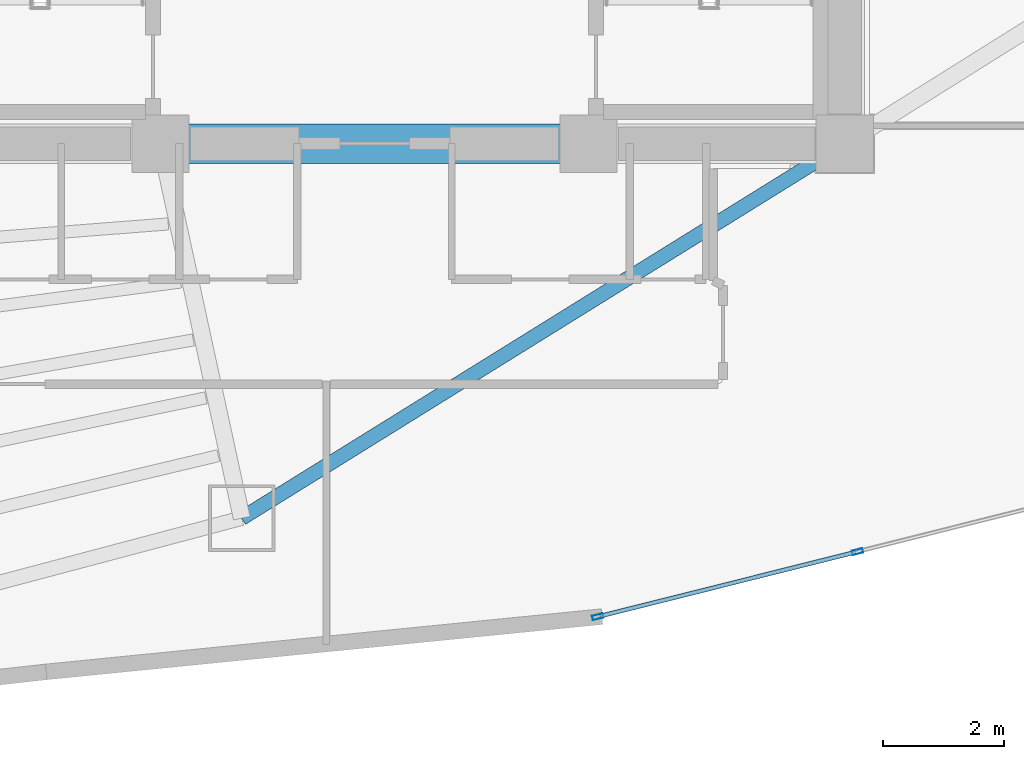
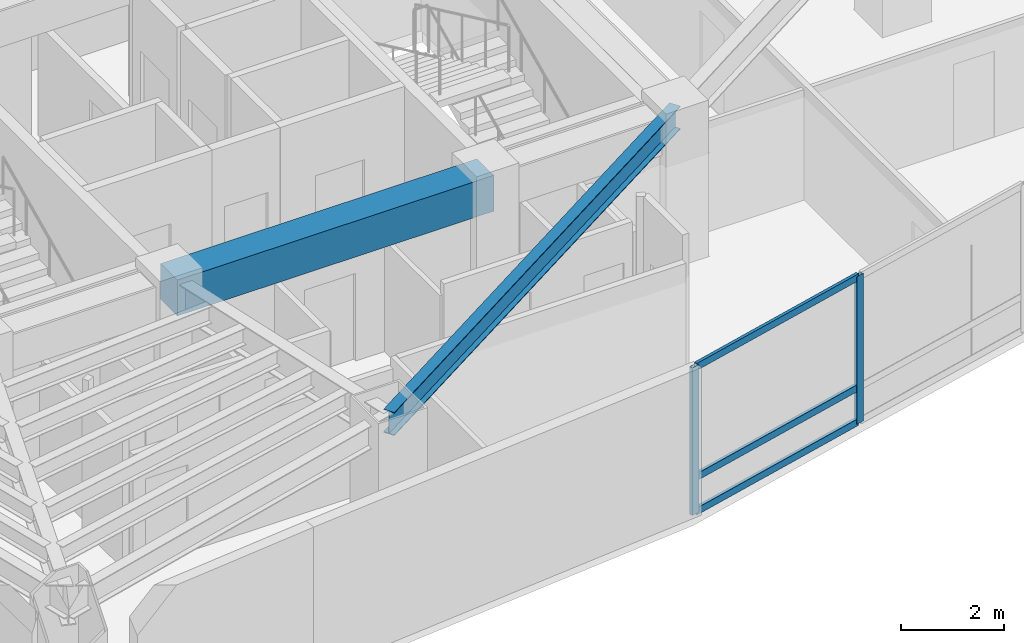
# One storey, part 4 of 17: 5 members, 2 beams, 1 element without a shape of its own.
"""IFC4 building model written with IfcOpenShell, lengths in metres."""

from ifc_helpers import new_model, si_unit, direction, frame, origin, origin_2d, place, context, subcontext, project, spatial, rectangle, hollow_rectangle, i_section, extrude, material, layer, layer_set, material_profile, profile_set, type_object, element, aggregate, save


model = new_model("IFC4")

# Units and contexts
model_context = context("Model", 3, precision=1e-05, world=origin(), true_north=direction((0.0, 1.0)))
body_context = subcontext(model_context, "Body", "Model", "MODEL_VIEW")
ifc_project = project(units=[si_unit("LENGTHUNIT", "METRE"), si_unit("AREAUNIT", "SQUARE_METRE"), si_unit("VOLUMEUNIT", "CUBIC_METRE"), si_unit("PLANEANGLEUNIT", "RADIAN"), si_unit("MASSUNIT", "GRAM", prefix="KILO")], contexts=[model_context])

# Site, building, storey
site_placement = place(None, origin())
site = spatial("IfcSite", under=ifc_project, at=site_placement, CompositionType="ELEMENT")
building_placement = place(site_placement, origin())
building = spatial("IfcBuilding", under=site, at=building_placement, Name="Menara Vayukalpa", CompositionType="ELEMENT")
storey_placement = place(building_placement, frame((0.0, 0.0, 154.320068359375)))
storey = spatial("IfcBuildingStorey", under=building, at=storey_placement, Name="L38", CompositionType="ELEMENT", Elevation=154.320068359375)

# Beams
ifc_material_1 = material(Name="Concrete C60/75", Category="concrete")
ifc_material_profile_1 = material_profile(ifc_material_1, rectangle(XDim=0.64990234375, YDim=0.85009765625, at=origin_2d()), Name="RC 650x850")
ifc_profile_set_1 = profile_set([ifc_material_profile_1], Name="Concrete C60/75")
beam_type_1 = type_object("IfcBeamType", Name="BM-CB1", PredefinedType="BEAM", material=ifc_profile_set_1)
beam_1_placement = place(storey_placement, frame((22.050048828125, 17.199951171875, 3.074951171875), z_axis=(1.0, 0.0, 0.0), x_axis=(0.0, 1.0, 0.0)))
element("IfcBeam", 1, at=beam_1_placement, inside=storey, type_object=beam_type_1, Name="L38 Core Tie Beam CBR2", PredefinedType="BEAM", context=body_context, shape_type="SweptSolid", body=[
    extrude(rectangle(XDim=0.64990234375, YDim=0.85009765625, at=origin_2d()), origin(), (0.0, 0.0, 1.0), 7.099853515625),
])
ifc_material_2 = material(Name="Steel S355", Category="steel")
ifc_material_profile_2 = material_profile(ifc_material_2, i_section(OverallWidth=0.239990234375, OverallDepth=0.550048828125, WebThickness=0.010986328125, FlangeThickness=0.01904296875, at=origin_2d()), Name="WF 550x240x11x19")
ifc_profile_set_2 = profile_set([ifc_material_profile_2], Name="Steel S355")
beam_type_2 = type_object("IfcBeamType", Name="BM-SP2", PredefinedType="SPANDREL", material=ifc_profile_set_2)
beam_2_placement = place(storey_placement, frame((23.39697265625, 10.988037109375, 3.224853515625), z_axis=(0.849518408464, 0.527558976495, 0.0), x_axis=(-0.527558976495, 0.849518408464, 0.0)))
element("IfcBeam", 2, at=beam_2_placement, inside=storey, type_object=beam_type_2, Name="L38 Perimeter Spandrel Beam SP08", PredefinedType="SPANDREL", context=body_context, shape_type="SweptSolid", body=[
    extrude(i_section(OverallWidth=0.239990234375, OverallDepth=0.550048828125, WebThickness=0.010986328125, FlangeThickness=0.01904296875, at=origin_2d()), origin(), (0.0, 0.0, 1.0), 11.77490234375),
])

# Curtain wall, members
ifc_material_3 = material(Name="Anodised Terracotta Aluminium Alloy 6063-T6", Category="masonry")
ifc_layer = layer(ifc_material_3, 0.179931640625)
ifc_layer_set = layer_set([ifc_layer], Name="Anodised Terracotta Aluminium Alloy 6063-T6")
curtain_wall_type = type_object("IfcCurtainWallType", Name="CW-CW4", PredefinedType="USERDEFINED", material=ifc_layer_set)
curtain_wall_placement = place(storey_placement, origin())
curtain_wall = element("IfcCurtainWall", 3, at=curtain_wall_placement, inside=storey, type_object=curtain_wall_type, Name="L38 Sky Bar Cantilever Glazed Curtain Wall CW4 16", ObjectType="UNITISED", PredefinedType="USERDEFINED")
ifc_material_4 = material(Name="Anodised Terracotta Aluminium Alloy 6063-T6", Category="masonry")
ifc_material_profile_3 = material_profile(ifc_material_4, hollow_rectangle(XDim=0.074951171875, YDim=0.179931640625, WallThickness=0.00390625, at=origin_2d()), Name="ALU 75x180x4")
ifc_profile_set_3 = profile_set([ifc_material_profile_3], Name="Anodised Terracotta Aluminium Alloy 6063-T6")
member_type_1 = type_object("IfcMemberType", Name="CWM-CW4", PredefinedType="MULLION", material=ifc_profile_set_3)
member_1_placement = place(storey_placement, frame((29.302001953125, 9.35205078125, 0.0), z_axis=(0.0, 0.0, 1.0), x_axis=(-0.243112993066, 0.969997975566, 0.0)))
member_1 = element("IfcMember", 4, at=member_1_placement, type_object=member_type_1, Name="CW4 mullion 1", PredefinedType="MULLION", context=body_context, shape_type="SweptSolid", body=[
    extrude(hollow_rectangle(XDim=0.074951171875, YDim=0.179931640625, WallThickness=0.00390625, at=origin_2d()), origin(), (0.0, 0.0, 1.0), 3.5),
])
member_2_placement = place(storey_placement, frame((33.61376953125, 10.4326171875, 0.0), z_axis=(0.0, 0.0, 1.0), x_axis=(-0.243112993066, 0.969997975566, 0.0)))
member_2 = element("IfcMember", 5, at=member_2_placement, type_object=member_type_1, Name="CW4 mullion 2", PredefinedType="MULLION", context=body_context, shape_type="SweptSolid", body=[
    extrude(hollow_rectangle(XDim=0.074951171875, YDim=0.179931640625, WallThickness=0.00390625, at=origin_2d()), origin(), (0.0, 0.0, 1.0), 3.5),
])
ifc_material_5 = material(Name="Anodised Terracotta Aluminium Alloy 6063-T6", Category="masonry")
ifc_material_profile_4 = material_profile(ifc_material_5, hollow_rectangle(XDim=0.070068359375, YDim=0.1650390625, WallThickness=0.00390625, at=origin_2d()), Name="ALU 70x165x4")
ifc_profile_set_4 = profile_set([ifc_material_profile_4], Name="Anodised Terracotta Aluminium Alloy 6063-T6")
member_type_2 = type_object("IfcMemberType", Name="CWT-CW4", PredefinedType="USERDEFINED", material=ifc_profile_set_4)
member_3_placement = place(storey_placement, frame((29.33837890625, 9.361083984375, 0.034912109375), z_axis=(0.969994440281, 0.243127098088, 0.0), x_axis=(-0.243127098088, 0.969994440281, 0.0)))
member_3 = element("IfcMember", 6, at=member_3_placement, type_object=member_type_2, Name="CW4 transom 1.1", ObjectType="TRANSOM", PredefinedType="USERDEFINED", context=body_context, shape_type="SweptSolid", body=[
    extrude(hollow_rectangle(XDim=0.070068359375, YDim=0.1650390625, WallThickness=0.00390625, at=origin_2d()), origin(), (0.0, 0.0, 1.0), 4.3701171875),
])
member_4_placement = place(storey_placement, frame((29.33837890625, 9.361083984375, 0.849853515625), z_axis=(0.969994440281, 0.243127098088, 0.0), x_axis=(-0.243127098088, 0.969994440281, 0.0)))
member_4 = element("IfcMember", 7, at=member_4_placement, type_object=member_type_2, Name="CW4 transom 1.2", ObjectType="TRANSOM", PredefinedType="USERDEFINED", context=body_context, shape_type="SweptSolid", body=[
    extrude(hollow_rectangle(XDim=0.070068359375, YDim=0.1650390625, WallThickness=0.00390625, at=origin_2d()), origin(), (0.0, 0.0, 1.0), 4.3701171875),
])
member_5_placement = place(storey_placement, frame((29.33837890625, 9.361083984375, 3.46484375), z_axis=(0.969994440281, 0.243127098088, 0.0), x_axis=(-0.243127098088, 0.969994440281, 0.0)))
member_5 = element("IfcMember", 8, at=member_5_placement, type_object=member_type_2, Name="CW4 transom 1.3", ObjectType="TRANSOM", PredefinedType="USERDEFINED", context=body_context, shape_type="SweptSolid", body=[
    extrude(hollow_rectangle(XDim=0.070068359375, YDim=0.1650390625, WallThickness=0.00390625, at=origin_2d()), origin(), (0.0, 0.0, 1.0), 4.3701171875),
])
aggregate(curtain_wall, [member_1, member_2, member_3, member_4, member_5])

save(model, "model.ifc")
